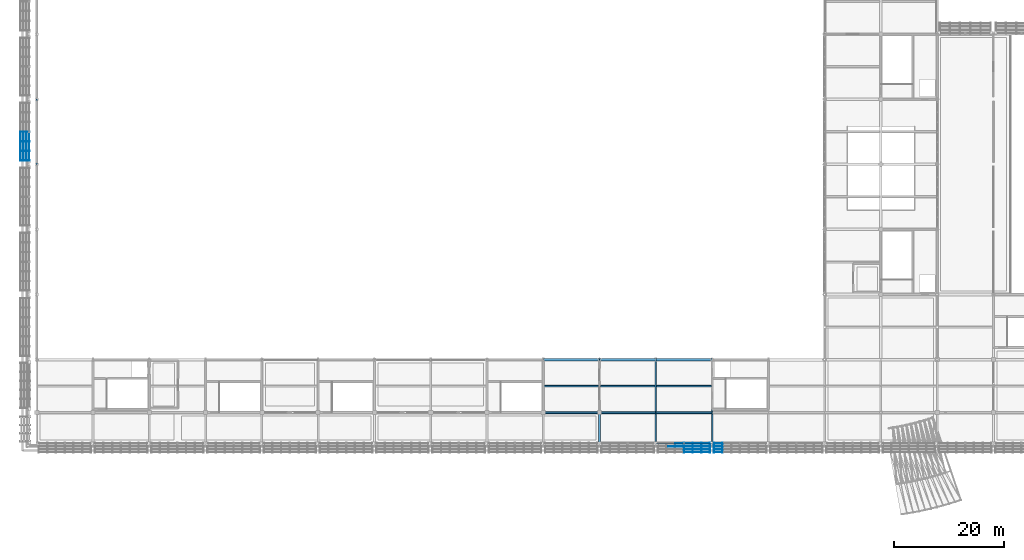
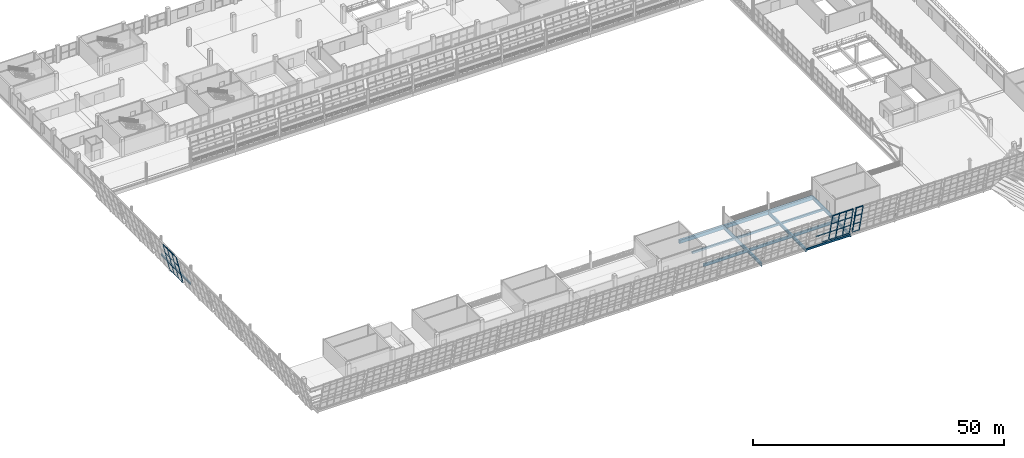
# One storey, part 31 of 157: 41 members, 14 beams, 3 elements without a shape of their own.
"""IFC4 building model written with IfcOpenShell, lengths in metres."""

from ifc_helpers import new_model, si_unit, direction, frame, origin, origin_2d, place, context, subcontext, project, spatial, rectangle, hollow_rectangle, i_section, extrude, material, material_profile, profile_set, type_object, element, aggregate, save


model = new_model("IFC4")

# Units and contexts
model_context = context("Model", 3, precision=1e-05, world=origin(), true_north=direction((0.0, 1.0)))
body_context = subcontext(model_context, "Body", "Model", "MODEL_VIEW")
ifc_project = project(units=[si_unit("LENGTHUNIT", "METRE"), si_unit("AREAUNIT", "SQUARE_METRE"), si_unit("VOLUMEUNIT", "CUBIC_METRE"), si_unit("PLANEANGLEUNIT", "RADIAN"), si_unit("MASSUNIT", "GRAM", prefix="KILO")], contexts=[model_context])

# Site, building, storey
site_placement = place(None, origin())
site = spatial("IfcSite", under=ifc_project, at=site_placement, CompositionType="ELEMENT")
building_placement = place(site_placement, origin())
building = spatial("IfcBuilding", under=site, at=building_placement, Name="Brelvane Convention Centre", CompositionType="ELEMENT")
storey_placement = place(building_placement, frame((0.0, 0.0, 10.800048828125)))
storey = spatial("IfcBuildingStorey", under=building, at=storey_placement, Name="L02", CompositionType="ELEMENT", Elevation=10.800048828125)

# Curtain wall, members
ifc_material_1 = material(Name="Anodised Aluminium Alloy 6063-T6", Category="aluminium")
curtain_wall_type = type_object("IfcCurtainWallType", Name="Curtain Wall CW-HULL-S", PredefinedType="USERDEFINED", material=ifc_material_1)
curtain_wall_1_placement = place(storey_placement, origin())
curtain_wall_1 = element("IfcCurtainWall", 1, at=curtain_wall_1_placement, inside=storey, type_object=curtain_wall_type, Name="Curtain Wall CW-HULL-S L02-HULL-S-L02-12", ObjectType="UNITISED", PredefinedType="USERDEFINED")
ifc_material_2 = material(Name="Anodised Aluminium Alloy 6063-T6", Category="aluminium")
ifc_material_profile_1 = material_profile(ifc_material_2, hollow_rectangle(XDim=0.080078125, YDim=0.239990234375, WallThickness=0.006103515625, InnerFilletRadius=0.006103515625, OuterFilletRadius=0.011962890625, at=origin_2d()), Name="ALU-M 240x80x6.0")
ifc_profile_set_1 = profile_set([ifc_material_profile_1], Name="Anodised Aluminium Alloy 6063-T6")
member_type_1 = type_object("IfcMemberType", Name="Curtain Mullion CW-M1", PredefinedType="MULLION", material=ifc_profile_set_1)
member_1_placement = place(storey_placement, frame((117.300048828125, 13.60009765625, 0.0), z_axis=(0.0, -0.228360410362, 0.973576665178), x_axis=(1.0, 0.0, 0.0)))
member_1 = element("IfcMember", 2, at=member_1_placement, type_object=member_type_1, Name="CW-HULL-S mullion 4", PredefinedType="MULLION", context=body_context, shape_type="SweptSolid", body=[
    extrude(hollow_rectangle(XDim=0.080078125, YDim=0.239990234375, WallThickness=0.006103515625, InnerFilletRadius=0.006103515625, OuterFilletRadius=0.011962890625, at=origin_2d()), origin(), (0.0, 0.0, 1.0), 7.03564453125),
])
member_2_placement = place(storey_placement, frame((118.893310546875, 13.60009765625, 0.0), z_axis=(0.0, -0.228360410362, 0.973576665178), x_axis=(1.0, 0.0, 0.0)))
member_2 = element("IfcMember", 3, at=member_2_placement, type_object=member_type_1, Name="CW-HULL-S mullion 5", PredefinedType="MULLION", context=body_context, shape_type="SweptSolid", body=[
    extrude(hollow_rectangle(XDim=0.080078125, YDim=0.239990234375, WallThickness=0.006103515625, InnerFilletRadius=0.006103515625, OuterFilletRadius=0.011962890625, at=origin_2d()), origin(), (0.0, 0.0, 1.0), 7.03564453125),
])
member_3_placement = place(storey_placement, frame((120.486572265625, 13.60009765625, 0.0), z_axis=(0.0, -0.228360410362, 0.973576665178), x_axis=(1.0, 0.0, 0.0)))
member_3 = element("IfcMember", 4, at=member_3_placement, type_object=member_type_1, Name="CW-HULL-S mullion 6", PredefinedType="MULLION", context=body_context, shape_type="SweptSolid", body=[
    extrude(hollow_rectangle(XDim=0.080078125, YDim=0.239990234375, WallThickness=0.006103515625, InnerFilletRadius=0.006103515625, OuterFilletRadius=0.011962890625, at=origin_2d()), origin(), (0.0, 0.0, 1.0), 7.03564453125),
])
member_4_placement = place(storey_placement, frame((122.0400390625, 13.60009765625, 0.0), z_axis=(0.0, -0.228360410362, 0.973576665178), x_axis=(1.0, 0.0, 0.0)))
member_4 = element("IfcMember", 5, at=member_4_placement, type_object=member_type_1, Name="CW-HULL-S mullion 7", PredefinedType="MULLION", context=body_context, shape_type="SweptSolid", body=[
    extrude(hollow_rectangle(XDim=0.080078125, YDim=0.239990234375, WallThickness=0.006103515625, InnerFilletRadius=0.006103515625, OuterFilletRadius=0.011962890625, at=origin_2d()), origin(), (0.0, 0.0, 1.0), 7.03564453125),
])

curtain_wall_2_placement = place(storey_placement, origin())
curtain_wall_2 = element("IfcCurtainWall", 6, at=curtain_wall_2_placement, inside=storey, type_object=curtain_wall_type, Name="Curtain Wall CW-HULL-S L02-HULL-S-L02-13", ObjectType="UNITISED", PredefinedType="USERDEFINED")
member_5_placement = place(storey_placement, frame((122.760009765625, 13.60009765625, 0.0), z_axis=(0.0, -0.228360410362, 0.973576665178), x_axis=(1.0, 0.0, 0.0)))
member_5 = element("IfcMember", 7, at=member_5_placement, type_object=member_type_1, Name="CW-HULL-S mullion 1", PredefinedType="MULLION", context=body_context, shape_type="SweptSolid", body=[
    extrude(hollow_rectangle(XDim=0.080078125, YDim=0.239990234375, WallThickness=0.006103515625, InnerFilletRadius=0.006103515625, OuterFilletRadius=0.011962890625, at=origin_2d()), origin(), (0.0, 0.0, 1.0), 7.03564453125),
])
member_6_placement = place(storey_placement, frame((124.313232421875, 13.60009765625, 0.0), z_axis=(0.0, -0.228360410362, 0.973576665178), x_axis=(1.0, 0.0, 0.0)))
member_6 = element("IfcMember", 8, at=member_6_placement, type_object=member_type_1, Name="CW-HULL-S mullion 2", PredefinedType="MULLION", context=body_context, shape_type="SweptSolid", body=[
    extrude(hollow_rectangle(XDim=0.080078125, YDim=0.239990234375, WallThickness=0.006103515625, InnerFilletRadius=0.006103515625, OuterFilletRadius=0.011962890625, at=origin_2d()), origin(), (0.0, 0.0, 1.0), 7.03564453125),
])

curtain_wall_3_placement = place(storey_placement, origin())
curtain_wall_3 = element("IfcCurtainWall", 9, at=curtain_wall_3_placement, inside=storey, type_object=curtain_wall_type, Name="Curtain Wall CW-HULL-S L02-HULL-W-L02-4", ObjectType="UNITISED", PredefinedType="USERDEFINED")
ifc_material_3 = material(Name="Anodised Aluminium Alloy 6063-T6", Category="aluminium")
ifc_material_profile_2 = material_profile(ifc_material_3, hollow_rectangle(XDim=0.074951171875, YDim=0.199951171875, WallThickness=0.0048828125, InnerFilletRadius=0.0048828125, OuterFilletRadius=0.010009765625, at=origin_2d()), Name="ALU-M 200x75x5.0")
ifc_profile_set_2 = profile_set([ifc_material_profile_2], Name="Anodised Aluminium Alloy 6063-T6")
member_type_2 = type_object("IfcMemberType", Name="Curtain Mullion CW-M2", PredefinedType="MULLION", material=ifc_profile_set_2)
member_7_placement = place(storey_placement, frame((-1.360107421875, 64.887451171875, 0.0), z_axis=(-0.228324840492, 0.0, 0.973585007698), x_axis=(0.0, -1.0, 0.0)))
member_7 = element("IfcMember", 10, at=member_7_placement, type_object=member_type_2, Name="CW-HULL-S mullion 1", PredefinedType="MULLION", context=body_context, shape_type="SweptSolid", body=[
    extrude(hollow_rectangle(XDim=0.074951171875, YDim=0.199951171875, WallThickness=0.0048828125, InnerFilletRadius=0.0048828125, OuterFilletRadius=0.010009765625, at=origin_2d()), origin(), (0.0, 0.0, 1.0), 6.93310546875),
])
member_8_placement = place(storey_placement, frame((-1.360107421875, 66.60009765625, 0.0), z_axis=(-0.228324840492, 0.0, 0.973585007698), x_axis=(0.0, -1.0, 0.0)))
member_8 = element("IfcMember", 11, at=member_8_placement, type_object=member_type_2, Name="CW-HULL-S mullion 2", PredefinedType="MULLION", context=body_context, shape_type="SweptSolid", body=[
    extrude(hollow_rectangle(XDim=0.074951171875, YDim=0.199951171875, WallThickness=0.0048828125, InnerFilletRadius=0.0048828125, OuterFilletRadius=0.010009765625, at=origin_2d()), origin(), (0.0, 0.0, 1.0), 6.93310546875),
])
member_9_placement = place(storey_placement, frame((-1.360107421875, 68.35009765625, 0.0), z_axis=(-0.228324840492, 0.0, 0.973585007698), x_axis=(0.0, -1.0, 0.0)))
member_9 = element("IfcMember", 12, at=member_9_placement, type_object=member_type_2, Name="CW-HULL-S mullion 3", PredefinedType="MULLION", context=body_context, shape_type="SweptSolid", body=[
    extrude(hollow_rectangle(XDim=0.074951171875, YDim=0.199951171875, WallThickness=0.0048828125, InnerFilletRadius=0.0048828125, OuterFilletRadius=0.010009765625, at=origin_2d()), origin(), (0.0, 0.0, 1.0), 6.93310546875),
])
member_10_placement = place(storey_placement, frame((-1.360107421875, 70.10009765625, 0.0), z_axis=(-0.228324840492, 0.0, 0.973585007698), x_axis=(0.0, -1.0, 0.0)))
member_10 = element("IfcMember", 13, at=member_10_placement, type_object=member_type_2, Name="CW-HULL-S mullion 4", PredefinedType="MULLION", context=body_context, shape_type="SweptSolid", body=[
    extrude(hollow_rectangle(XDim=0.074951171875, YDim=0.199951171875, WallThickness=0.0048828125, InnerFilletRadius=0.0048828125, OuterFilletRadius=0.010009765625, at=origin_2d()), origin(), (0.0, 0.0, 1.0), 6.93310546875),
])

# Member
ifc_material_4 = material(Name="Anodised Aluminium Alloy 6063-T6", Category="aluminium")
ifc_material_profile_3 = material_profile(ifc_material_4, hollow_rectangle(XDim=0.080078125, YDim=0.179931640625, WallThickness=0.0048828125, InnerFilletRadius=0.0048828125, OuterFilletRadius=0.010009765625, at=origin_2d()), Name="ALU-T 180x80x5.0")
ifc_profile_set_3 = profile_set([ifc_material_profile_3], Name="Anodised Aluminium Alloy 6063-T6")
member_type_3 = type_object("IfcMemberType", Name="Curtain Transom CW-T1", PredefinedType="USERDEFINED", material=ifc_profile_set_3)
member_11_placement = place(storey_placement, frame((114.1533203125, 13.064453125, 2.283203125), z_axis=(1.0, 0.0, 0.0), x_axis=(0.0, 1.0, 0.0)))
member_11 = element("IfcMember", 14, at=member_11_placement, type_object=member_type_3, Name="CW-HULL-S transom 2.2", ObjectType="TRANSOM", PredefinedType="USERDEFINED", context=body_context, shape_type="SweptSolid", body=[
    extrude(hollow_rectangle(XDim=0.080078125, YDim=0.179931640625, WallThickness=0.0048828125, InnerFilletRadius=0.0048828125, OuterFilletRadius=0.010009765625, at=origin_2d()), origin(), (0.0, 0.0, 1.0), 1.513427734375),
])

member_12_placement = place(storey_placement, frame((115.74658203125, 13.590576171875, 0.0400390625), z_axis=(1.0, 0.0, 0.0), x_axis=(0.0, 1.0, 0.0)))
member_12 = element("IfcMember", 15, at=member_12_placement, type_object=member_type_3, Name="CW-HULL-S transom 3.1", ObjectType="TRANSOM", PredefinedType="USERDEFINED", context=body_context, shape_type="SweptSolid", body=[
    extrude(hollow_rectangle(XDim=0.080078125, YDim=0.179931640625, WallThickness=0.0048828125, InnerFilletRadius=0.0048828125, OuterFilletRadius=0.010009765625, at=origin_2d()), origin(), (0.0, 0.0, 1.0), 1.513427734375),
])

member_13_placement = place(storey_placement, frame((115.74658203125, 13.064453125, 2.283203125), z_axis=(1.0, 0.0, 0.0), x_axis=(0.0, 1.0, 0.0)))
member_13 = element("IfcMember", 16, at=member_13_placement, type_object=member_type_3, Name="CW-HULL-S transom 3.2", ObjectType="TRANSOM", PredefinedType="USERDEFINED", context=body_context, shape_type="SweptSolid", body=[
    extrude(hollow_rectangle(XDim=0.080078125, YDim=0.179931640625, WallThickness=0.0048828125, InnerFilletRadius=0.0048828125, OuterFilletRadius=0.010009765625, at=origin_2d()), origin(), (0.0, 0.0, 1.0), 1.513427734375),
])

member_14_placement = place(storey_placement, frame((117.340087890625, 13.590576171875, 0.0400390625), z_axis=(1.0, 0.0, 0.0), x_axis=(0.0, 1.0, 0.0)))
member_14 = element("IfcMember", 17, at=member_14_placement, type_object=member_type_3, Name="CW-HULL-S transom 4.1", ObjectType="TRANSOM", PredefinedType="USERDEFINED", context=body_context, shape_type="SweptSolid", body=[
    extrude(hollow_rectangle(XDim=0.080078125, YDim=0.179931640625, WallThickness=0.0048828125, InnerFilletRadius=0.0048828125, OuterFilletRadius=0.010009765625, at=origin_2d()), origin(), (0.0, 0.0, 1.0), 1.51318359375),
])

member_15_placement = place(storey_placement, frame((117.340087890625, 13.064453125, 2.283203125), z_axis=(1.0, 0.0, 0.0), x_axis=(0.0, 1.0, 0.0)))
member_15 = element("IfcMember", 18, at=member_15_placement, type_object=member_type_3, Name="CW-HULL-S transom 4.2", ObjectType="TRANSOM", PredefinedType="USERDEFINED", context=body_context, shape_type="SweptSolid", body=[
    extrude(hollow_rectangle(XDim=0.080078125, YDim=0.179931640625, WallThickness=0.0048828125, InnerFilletRadius=0.0048828125, OuterFilletRadius=0.010009765625, at=origin_2d()), origin(), (0.0, 0.0, 1.0), 1.51318359375),
])

member_16_placement = place(storey_placement, frame((117.340087890625, 12.52880859375, 4.566650390625), z_axis=(1.0, 0.0, 0.0), x_axis=(0.0, 1.0, 0.0)))
member_16 = element("IfcMember", 19, at=member_16_placement, type_object=member_type_3, Name="CW-HULL-S transom 4.3", ObjectType="TRANSOM", PredefinedType="USERDEFINED", context=body_context, shape_type="SweptSolid", body=[
    extrude(hollow_rectangle(XDim=0.080078125, YDim=0.179931640625, WallThickness=0.0048828125, InnerFilletRadius=0.0048828125, OuterFilletRadius=0.010009765625, at=origin_2d()), origin(), (0.0, 0.0, 1.0), 1.51318359375),
])

member_17_placement = place(storey_placement, frame((117.340087890625, 12.002685546875, 6.81005859375), z_axis=(1.0, 0.0, 0.0), x_axis=(0.0, 1.0, 0.0)))
member_17 = element("IfcMember", 20, at=member_17_placement, type_object=member_type_3, Name="CW-HULL-S transom 4.4", ObjectType="TRANSOM", PredefinedType="USERDEFINED", context=body_context, shape_type="SweptSolid", body=[
    extrude(hollow_rectangle(XDim=0.080078125, YDim=0.179931640625, WallThickness=0.0048828125, InnerFilletRadius=0.0048828125, OuterFilletRadius=0.010009765625, at=origin_2d()), origin(), (0.0, 0.0, 1.0), 1.51318359375),
])

member_18_placement = place(storey_placement, frame((118.933349609375, 13.590576171875, 0.0400390625), z_axis=(1.0, 0.0, 0.0), x_axis=(0.0, 1.0, 0.0)))
member_18 = element("IfcMember", 21, at=member_18_placement, type_object=member_type_3, Name="CW-HULL-S transom 5.1", ObjectType="TRANSOM", PredefinedType="USERDEFINED", context=body_context, shape_type="SweptSolid", body=[
    extrude(hollow_rectangle(XDim=0.080078125, YDim=0.179931640625, WallThickness=0.0048828125, InnerFilletRadius=0.0048828125, OuterFilletRadius=0.010009765625, at=origin_2d()), origin(), (0.0, 0.0, 1.0), 1.513427734375),
])

member_19_placement = place(storey_placement, frame((118.933349609375, 13.064453125, 2.283203125), z_axis=(1.0, 0.0, 0.0), x_axis=(0.0, 1.0, 0.0)))
member_19 = element("IfcMember", 22, at=member_19_placement, type_object=member_type_3, Name="CW-HULL-S transom 5.2", ObjectType="TRANSOM", PredefinedType="USERDEFINED", context=body_context, shape_type="SweptSolid", body=[
    extrude(hollow_rectangle(XDim=0.080078125, YDim=0.179931640625, WallThickness=0.0048828125, InnerFilletRadius=0.0048828125, OuterFilletRadius=0.010009765625, at=origin_2d()), origin(), (0.0, 0.0, 1.0), 1.513427734375),
])

member_20_placement = place(storey_placement, frame((118.933349609375, 12.52880859375, 4.566650390625), z_axis=(1.0, 0.0, 0.0), x_axis=(0.0, 1.0, 0.0)))
member_20 = element("IfcMember", 23, at=member_20_placement, type_object=member_type_3, Name="CW-HULL-S transom 5.3", ObjectType="TRANSOM", PredefinedType="USERDEFINED", context=body_context, shape_type="SweptSolid", body=[
    extrude(hollow_rectangle(XDim=0.080078125, YDim=0.179931640625, WallThickness=0.0048828125, InnerFilletRadius=0.0048828125, OuterFilletRadius=0.010009765625, at=origin_2d()), origin(), (0.0, 0.0, 1.0), 1.513427734375),
])

member_21_placement = place(storey_placement, frame((118.933349609375, 12.002685546875, 6.81005859375), z_axis=(1.0, 0.0, 0.0), x_axis=(0.0, 1.0, 0.0)))
member_21 = element("IfcMember", 24, at=member_21_placement, type_object=member_type_3, Name="CW-HULL-S transom 5.4", ObjectType="TRANSOM", PredefinedType="USERDEFINED", context=body_context, shape_type="SweptSolid", body=[
    extrude(hollow_rectangle(XDim=0.080078125, YDim=0.179931640625, WallThickness=0.0048828125, InnerFilletRadius=0.0048828125, OuterFilletRadius=0.010009765625, at=origin_2d()), origin(), (0.0, 0.0, 1.0), 1.513427734375),
])

member_22_placement = place(storey_placement, frame((120.526611328125, 13.590576171875, 0.0400390625), z_axis=(1.0, 0.0, 0.0), x_axis=(0.0, 1.0, 0.0)))
member_22 = element("IfcMember", 25, at=member_22_placement, type_object=member_type_3, Name="CW-HULL-S transom 6.1", ObjectType="TRANSOM", PredefinedType="USERDEFINED", context=body_context, shape_type="SweptSolid", body=[
    extrude(hollow_rectangle(XDim=0.080078125, YDim=0.179931640625, WallThickness=0.0048828125, InnerFilletRadius=0.0048828125, OuterFilletRadius=0.010009765625, at=origin_2d()), origin(), (0.0, 0.0, 1.0), 1.473388671875),
])

member_23_placement = place(storey_placement, frame((120.526611328125, 13.064453125, 2.283203125), z_axis=(1.0, 0.0, 0.0), x_axis=(0.0, 1.0, 0.0)))
member_23 = element("IfcMember", 26, at=member_23_placement, type_object=member_type_3, Name="CW-HULL-S transom 6.2", ObjectType="TRANSOM", PredefinedType="USERDEFINED", context=body_context, shape_type="SweptSolid", body=[
    extrude(hollow_rectangle(XDim=0.080078125, YDim=0.179931640625, WallThickness=0.0048828125, InnerFilletRadius=0.0048828125, OuterFilletRadius=0.010009765625, at=origin_2d()), origin(), (0.0, 0.0, 1.0), 1.473388671875),
])

member_24_placement = place(storey_placement, frame((120.526611328125, 12.52880859375, 4.566650390625), z_axis=(1.0, 0.0, 0.0), x_axis=(0.0, 1.0, 0.0)))
member_24 = element("IfcMember", 27, at=member_24_placement, type_object=member_type_3, Name="CW-HULL-S transom 6.3", ObjectType="TRANSOM", PredefinedType="USERDEFINED", context=body_context, shape_type="SweptSolid", body=[
    extrude(hollow_rectangle(XDim=0.080078125, YDim=0.179931640625, WallThickness=0.0048828125, InnerFilletRadius=0.0048828125, OuterFilletRadius=0.010009765625, at=origin_2d()), origin(), (0.0, 0.0, 1.0), 1.473388671875),
])

member_25_placement = place(storey_placement, frame((120.526611328125, 12.002685546875, 6.81005859375), z_axis=(1.0, 0.0, 0.0), x_axis=(0.0, 1.0, 0.0)))
member_25 = element("IfcMember", 28, at=member_25_placement, type_object=member_type_3, Name="CW-HULL-S transom 6.4", ObjectType="TRANSOM", PredefinedType="USERDEFINED", context=body_context, shape_type="SweptSolid", body=[
    extrude(hollow_rectangle(XDim=0.080078125, YDim=0.179931640625, WallThickness=0.0048828125, InnerFilletRadius=0.0048828125, OuterFilletRadius=0.010009765625, at=origin_2d()), origin(), (0.0, 0.0, 1.0), 1.473388671875),
])

aggregate(curtain_wall_1, [member_1, member_2, member_3, member_4, member_11, member_12, member_13, member_14, member_15, member_16, member_17, member_18, member_19, member_20, member_21, member_22, member_23, member_24, member_25])

member_26_placement = place(storey_placement, frame((122.800048828125, 13.590576171875, 0.0400390625), z_axis=(1.0, 0.0, 0.0), x_axis=(0.0, 1.0, 0.0)))
member_26 = element("IfcMember", 29, at=member_26_placement, type_object=member_type_3, Name="CW-HULL-S transom 1.1", ObjectType="TRANSOM", PredefinedType="USERDEFINED", context=body_context, shape_type="SweptSolid", body=[
    extrude(hollow_rectangle(XDim=0.080078125, YDim=0.179931640625, WallThickness=0.0048828125, InnerFilletRadius=0.0048828125, OuterFilletRadius=0.010009765625, at=origin_2d()), origin(), (0.0, 0.0, 1.0), 1.473388671875),
])

member_27_placement = place(storey_placement, frame((122.800048828125, 13.064453125, 2.283203125), z_axis=(1.0, 0.0, 0.0), x_axis=(0.0, 1.0, 0.0)))
member_27 = element("IfcMember", 30, at=member_27_placement, type_object=member_type_3, Name="CW-HULL-S transom 1.2", ObjectType="TRANSOM", PredefinedType="USERDEFINED", context=body_context, shape_type="SweptSolid", body=[
    extrude(hollow_rectangle(XDim=0.080078125, YDim=0.179931640625, WallThickness=0.0048828125, InnerFilletRadius=0.0048828125, OuterFilletRadius=0.010009765625, at=origin_2d()), origin(), (0.0, 0.0, 1.0), 1.473388671875),
])

member_28_placement = place(storey_placement, frame((122.800048828125, 12.52880859375, 4.566650390625), z_axis=(1.0, 0.0, 0.0), x_axis=(0.0, 1.0, 0.0)))
member_28 = element("IfcMember", 31, at=member_28_placement, type_object=member_type_3, Name="CW-HULL-S transom 1.3", ObjectType="TRANSOM", PredefinedType="USERDEFINED", context=body_context, shape_type="SweptSolid", body=[
    extrude(hollow_rectangle(XDim=0.080078125, YDim=0.179931640625, WallThickness=0.0048828125, InnerFilletRadius=0.0048828125, OuterFilletRadius=0.010009765625, at=origin_2d()), origin(), (0.0, 0.0, 1.0), 1.473388671875),
])

member_29_placement = place(storey_placement, frame((122.800048828125, 12.002685546875, 6.81005859375), z_axis=(1.0, 0.0, 0.0), x_axis=(0.0, 1.0, 0.0)))
member_29 = element("IfcMember", 32, at=member_29_placement, type_object=member_type_3, Name="CW-HULL-S transom 1.4", ObjectType="TRANSOM", PredefinedType="USERDEFINED", context=body_context, shape_type="SweptSolid", body=[
    extrude(hollow_rectangle(XDim=0.080078125, YDim=0.179931640625, WallThickness=0.0048828125, InnerFilletRadius=0.0048828125, OuterFilletRadius=0.010009765625, at=origin_2d()), origin(), (0.0, 0.0, 1.0), 1.473388671875),
])

aggregate(curtain_wall_2, [member_5, member_6, member_26, member_27, member_28, member_29])

ifc_material_5 = material(Name="Anodised Aluminium Alloy 6063-T6", Category="aluminium")
ifc_material_profile_4 = material_profile(ifc_material_5, hollow_rectangle(XDim=0.070068359375, YDim=0.14990234375, WallThickness=0.00439453125, InnerFilletRadius=0.00439453125, OuterFilletRadius=0.009033203125, at=origin_2d()), Name="ALU-T 150x70x4.5")
ifc_profile_set_4 = profile_set([ifc_material_profile_4], Name="Anodised Aluminium Alloy 6063-T6")
member_type_4 = type_object("IfcMemberType", Name="Curtain Transom CW-T2", PredefinedType="USERDEFINED", material=ifc_profile_set_4)
member_30_placement = place(storey_placement, frame((-1.3681640625, 64.925048828125, 0.034912109375), z_axis=(0.0, 1.0, 0.0), x_axis=(-1.0, 0.0, 0.0)))
member_30 = element("IfcMember", 33, at=member_30_placement, type_object=member_type_4, Name="CW-HULL-S transom 1.1", ObjectType="TRANSOM", PredefinedType="USERDEFINED", context=body_context, shape_type="SweptSolid", body=[
    extrude(hollow_rectangle(XDim=0.070068359375, YDim=0.14990234375, WallThickness=0.00439453125, InnerFilletRadius=0.00439453125, OuterFilletRadius=0.009033203125, at=origin_2d()), origin(), (0.0, 0.0, 1.0), 1.637451171875),
])

member_31_placement = place(storey_placement, frame((-1.8876953125, 64.925048828125, 2.25), z_axis=(0.0, 1.0, 0.0), x_axis=(-1.0, 0.0, 0.0)))
member_31 = element("IfcMember", 34, at=member_31_placement, type_object=member_type_4, Name="CW-HULL-S transom 1.2", ObjectType="TRANSOM", PredefinedType="USERDEFINED", context=body_context, shape_type="SweptSolid", body=[
    extrude(hollow_rectangle(XDim=0.070068359375, YDim=0.14990234375, WallThickness=0.00439453125, InnerFilletRadius=0.00439453125, OuterFilletRadius=0.009033203125, at=origin_2d()), origin(), (0.0, 0.0, 1.0), 1.637451171875),
])

member_32_placement = place(storey_placement, frame((-2.41552734375, 64.925048828125, 4.5), z_axis=(0.0, 1.0, 0.0), x_axis=(-1.0, 0.0, 0.0)))
member_32 = element("IfcMember", 35, at=member_32_placement, type_object=member_type_4, Name="CW-HULL-S transom 1.3", ObjectType="TRANSOM", PredefinedType="USERDEFINED", context=body_context, shape_type="SweptSolid", body=[
    extrude(hollow_rectangle(XDim=0.070068359375, YDim=0.14990234375, WallThickness=0.00439453125, InnerFilletRadius=0.00439453125, OuterFilletRadius=0.009033203125, at=origin_2d()), origin(), (0.0, 0.0, 1.0), 1.637451171875),
])

member_33_placement = place(storey_placement, frame((-2.93505859375, 64.925048828125, 6.71484375), z_axis=(0.0, 1.0, 0.0), x_axis=(-1.0, 0.0, 0.0)))
member_33 = element("IfcMember", 36, at=member_33_placement, type_object=member_type_4, Name="CW-HULL-S transom 1.4", ObjectType="TRANSOM", PredefinedType="USERDEFINED", context=body_context, shape_type="SweptSolid", body=[
    extrude(hollow_rectangle(XDim=0.070068359375, YDim=0.14990234375, WallThickness=0.00439453125, InnerFilletRadius=0.00439453125, OuterFilletRadius=0.009033203125, at=origin_2d()), origin(), (0.0, 0.0, 1.0), 1.637451171875),
])

member_34_placement = place(storey_placement, frame((-1.3681640625, 66.637451171875, 0.034912109375), z_axis=(0.0, 1.0, 0.0), x_axis=(-1.0, 0.0, 0.0)))
member_34 = element("IfcMember", 37, at=member_34_placement, type_object=member_type_4, Name="CW-HULL-S transom 2.1", ObjectType="TRANSOM", PredefinedType="USERDEFINED", context=body_context, shape_type="SweptSolid", body=[
    extrude(hollow_rectangle(XDim=0.070068359375, YDim=0.14990234375, WallThickness=0.00439453125, InnerFilletRadius=0.00439453125, OuterFilletRadius=0.009033203125, at=origin_2d()), origin(), (0.0, 0.0, 1.0), 1.675048828125),
])

member_35_placement = place(storey_placement, frame((-1.8876953125, 66.637451171875, 2.25), z_axis=(0.0, 1.0, 0.0), x_axis=(-1.0, 0.0, 0.0)))
member_35 = element("IfcMember", 38, at=member_35_placement, type_object=member_type_4, Name="CW-HULL-S transom 2.2", ObjectType="TRANSOM", PredefinedType="USERDEFINED", context=body_context, shape_type="SweptSolid", body=[
    extrude(hollow_rectangle(XDim=0.070068359375, YDim=0.14990234375, WallThickness=0.00439453125, InnerFilletRadius=0.00439453125, OuterFilletRadius=0.009033203125, at=origin_2d()), origin(), (0.0, 0.0, 1.0), 1.675048828125),
])

member_36_placement = place(storey_placement, frame((-2.41552734375, 66.637451171875, 4.5), z_axis=(0.0, 1.0, 0.0), x_axis=(-1.0, 0.0, 0.0)))
member_36 = element("IfcMember", 39, at=member_36_placement, type_object=member_type_4, Name="CW-HULL-S transom 2.3", ObjectType="TRANSOM", PredefinedType="USERDEFINED", context=body_context, shape_type="SweptSolid", body=[
    extrude(hollow_rectangle(XDim=0.070068359375, YDim=0.14990234375, WallThickness=0.00439453125, InnerFilletRadius=0.00439453125, OuterFilletRadius=0.009033203125, at=origin_2d()), origin(), (0.0, 0.0, 1.0), 1.675048828125),
])

member_37_placement = place(storey_placement, frame((-2.93505859375, 66.637451171875, 6.71484375), z_axis=(0.0, 1.0, 0.0), x_axis=(-1.0, 0.0, 0.0)))
member_37 = element("IfcMember", 40, at=member_37_placement, type_object=member_type_4, Name="CW-HULL-S transom 2.4", ObjectType="TRANSOM", PredefinedType="USERDEFINED", context=body_context, shape_type="SweptSolid", body=[
    extrude(hollow_rectangle(XDim=0.070068359375, YDim=0.14990234375, WallThickness=0.00439453125, InnerFilletRadius=0.00439453125, OuterFilletRadius=0.009033203125, at=origin_2d()), origin(), (0.0, 0.0, 1.0), 1.675048828125),
])

member_38_placement = place(storey_placement, frame((-1.3681640625, 68.387451171875, 0.034912109375), z_axis=(0.0, 1.0, 0.0), x_axis=(-1.0, 0.0, 0.0)))
member_38 = element("IfcMember", 41, at=member_38_placement, type_object=member_type_4, Name="CW-HULL-S transom 3.1", ObjectType="TRANSOM", PredefinedType="USERDEFINED", context=body_context, shape_type="SweptSolid", body=[
    extrude(hollow_rectangle(XDim=0.070068359375, YDim=0.14990234375, WallThickness=0.00439453125, InnerFilletRadius=0.00439453125, OuterFilletRadius=0.009033203125, at=origin_2d()), origin(), (0.0, 0.0, 1.0), 1.675048828125),
])

member_39_placement = place(storey_placement, frame((-1.8876953125, 68.387451171875, 2.25), z_axis=(0.0, 1.0, 0.0), x_axis=(-1.0, 0.0, 0.0)))
member_39 = element("IfcMember", 42, at=member_39_placement, type_object=member_type_4, Name="CW-HULL-S transom 3.2", ObjectType="TRANSOM", PredefinedType="USERDEFINED", context=body_context, shape_type="SweptSolid", body=[
    extrude(hollow_rectangle(XDim=0.070068359375, YDim=0.14990234375, WallThickness=0.00439453125, InnerFilletRadius=0.00439453125, OuterFilletRadius=0.009033203125, at=origin_2d()), origin(), (0.0, 0.0, 1.0), 1.675048828125),
])

member_40_placement = place(storey_placement, frame((-2.41552734375, 68.387451171875, 4.5), z_axis=(0.0, 1.0, 0.0), x_axis=(-1.0, 0.0, 0.0)))
member_40 = element("IfcMember", 43, at=member_40_placement, type_object=member_type_4, Name="CW-HULL-S transom 3.3", ObjectType="TRANSOM", PredefinedType="USERDEFINED", context=body_context, shape_type="SweptSolid", body=[
    extrude(hollow_rectangle(XDim=0.070068359375, YDim=0.14990234375, WallThickness=0.00439453125, InnerFilletRadius=0.00439453125, OuterFilletRadius=0.009033203125, at=origin_2d()), origin(), (0.0, 0.0, 1.0), 1.675048828125),
])

member_41_placement = place(storey_placement, frame((-2.93505859375, 68.387451171875, 6.71484375), z_axis=(0.0, 1.0, 0.0), x_axis=(-1.0, 0.0, 0.0)))
member_41 = element("IfcMember", 44, at=member_41_placement, type_object=member_type_4, Name="CW-HULL-S transom 3.4", ObjectType="TRANSOM", PredefinedType="USERDEFINED", context=body_context, shape_type="SweptSolid", body=[
    extrude(hollow_rectangle(XDim=0.070068359375, YDim=0.14990234375, WallThickness=0.00439453125, InnerFilletRadius=0.00439453125, OuterFilletRadius=0.009033203125, at=origin_2d()), origin(), (0.0, 0.0, 1.0), 1.675048828125),
])

aggregate(curtain_wall_3, [member_7, member_8, member_9, member_10, member_30, member_31, member_32, member_33, member_34, member_35, member_36, member_37, member_38, member_39, member_40, member_41])

# Beams
ifc_material_6 = material(Name="Concrete M40", Category="concrete")
ifc_material_profile_5 = material_profile(ifc_material_6, rectangle(XDim=0.4599609375, YDim=0.840087890625, at=origin_2d()), Name="RC 460x840")
ifc_profile_set_5 = profile_set([ifc_material_profile_5], Name="Concrete M40")
beam_type_1 = type_object("IfcBeamType", Name="RC Beam B-RC11 (RC 460x840)", PredefinedType="BEAM", material=ifc_profile_set_5)
for number, where, z_axis, x_axis, name in (
    (45, (91.800048828125, 28.800048828125, -0.699951171875), (1.0, 0.0, 0.0), (0.0, 1.0, 0.0), "L02 Beam 10-11/D"),
    (46, (102.0, 28.800048828125, -0.699951171875), (1.0, 0.0, 0.0), (0.0, 1.0, 0.0), "L02 Beam 11-12/D"),
    (47, (112.199951171875, 28.800048828125, -0.699951171875), (1.0, 0.0, 0.0), (0.0, 1.0, 0.0), "L02 Beam 12-13/D"),
):
    element("IfcBeam", number, at=place(storey_placement, frame(where, z_axis=z_axis, x_axis=x_axis)), inside=storey, type_object=beam_type_1, Name=name, PredefinedType="BEAM", context=body_context, shape_type="SweptSolid", body=[
        extrude(rectangle(XDim=0.4599609375, YDim=0.840087890625, at=origin_2d()), origin(), (0.0, 0.0, 1.0), 10.199951171875),
    ])
ifc_material_7 = material(Name="Concrete M40", Category="concrete")
ifc_material_profile_6 = material_profile(ifc_material_7, rectangle(XDim=0.320068359375, YDim=0.52001953125, at=origin_2d()), Name="RC 320x520")
ifc_profile_set_6 = profile_set([ifc_material_profile_6], Name="Concrete M40")
beam_type_2 = type_object("IfcBeamType", Name="RC Joist J-RC4 (RC 320x520)", PredefinedType="JOIST", material=ifc_profile_set_6)
for number, where, z_axis, x_axis, name in (
    (48, (91.949951171875, 24.0, -0.5400390625), (1.0, 0.0, 0.0), (0.0, 1.0, 0.0), "L02 Secondary Joist 10-11/CD"),
    (49, (102.14990234375, 24.0, -0.5400390625), (1.0, 0.0, 0.0), (0.0, 1.0, 0.0), "L02 Secondary Joist 11-12/CD"),
):
    element("IfcBeam", number, at=place(storey_placement, frame(where, z_axis=z_axis, x_axis=x_axis)), inside=storey, type_object=beam_type_2, Name=name, PredefinedType="JOIST", context=body_context, shape_type="SweptSolid", body=[
        extrude(rectangle(XDim=0.320068359375, YDim=0.52001953125, at=origin_2d()), origin(), (0.0, 0.0, 1.0), 9.900146484375),
    ])
beam_1_placement = place(storey_placement, frame((112.35009765625, 24.0, -0.5400390625), z_axis=(1.0, 0.0, 0.0), x_axis=(0.0, 1.0, 0.0)))
element("IfcBeam", 50, at=beam_1_placement, inside=storey, type_object=beam_type_2, Name="L02 Secondary Joist 12-13/CD", PredefinedType="JOIST", context=body_context, shape_type="SweptSolid", body=[
    extrude(rectangle(XDim=0.320068359375, YDim=0.52001953125, at=origin_2d()), origin(), (0.0, 0.0, 1.0), 9.89990234375),
])
ifc_material_8 = material(Name="Concrete M40", Category="concrete")
ifc_material_profile_7 = material_profile(ifc_material_8, rectangle(XDim=0.360107421875, YDim=0.639892578125, at=origin_2d()), Name="RC 360x640")
ifc_profile_set_7 = profile_set([ifc_material_profile_7], Name="Concrete M40")
beam_type_3 = type_object("IfcBeamType", Name="RC Spandrel SP-RC3 (RC 360x640)", PredefinedType="SPANDREL", material=ifc_profile_set_7)
for number, where, z_axis, x_axis, name in (
    (51, (91.800048828125, 19.199951171875, -0.60009765625), (1.0, 0.0, 0.0), (0.0, 1.0, 0.0), "L02 Beam 10-11/C"),
    (52, (102.0, 19.199951171875, -0.60009765625), (1.0, 0.0, 0.0), (0.0, 1.0, 0.0), "L02 Beam 11-12/C"),
    (53, (112.199951171875, 19.199951171875, -0.60009765625), (1.0, 0.0, 0.0), (0.0, 1.0, 0.0), "L02 Beam 12-13/C"),
):
    element("IfcBeam", number, at=place(storey_placement, frame(where, z_axis=z_axis, x_axis=x_axis)), inside=storey, type_object=beam_type_3, Name=name, PredefinedType="SPANDREL", context=body_context, shape_type="SweptSolid", body=[
        extrude(rectangle(XDim=0.360107421875, YDim=0.639892578125, at=origin_2d()), origin(), (0.0, 0.0, 1.0), 10.199951171875),
    ])
ifc_material_9 = material(Name="Steel E450 (450 MPa)", Category="steel")
ifc_material_profile_8 = material_profile(ifc_material_9, i_section(OverallWidth=0.300048828125, OverallDepth=0.800048828125, WebThickness=0.015380859375, FlangeThickness=0.030029296875, FilletRadius=0.027099609375, at=origin_2d()), Name="NPB 800x300")
ifc_profile_set_8 = profile_set([ifc_material_profile_8], Name="Steel E450 (450 MPa)")
beam_type_4 = type_object("IfcBeamType", Name="Steel Beam B-ST2 (NPB 800x300)", PredefinedType="BEAM", material=ifc_profile_set_8)
for number, where, z_axis, x_axis, name in (
    (54, (102.0, 13.60009765625, -0.679931640625), (0.0, 1.0, 0.0), (-1.0, 0.0, 0.0), "L02 Hull Cantilever Girder 11"),
    (55, (112.199951171875, 13.60009765625, -0.679931640625), (0.0, 1.0, 0.0), (-1.0, 0.0, 0.0), "L02 Hull Cantilever Girder 12"),
    (56, (122.39990234375, 13.60009765625, -0.679931640625), (0.0, 1.0, 0.0), (-1.0, 0.0, 0.0), "L02 Hull Cantilever Girder 13"),
):
    element("IfcBeam", number, at=place(storey_placement, frame(where, z_axis=z_axis, x_axis=x_axis)), inside=storey, type_object=beam_type_4, Name=name, PredefinedType="BEAM", context=body_context, shape_type="SweptSolid", body=[
        extrude(i_section(OverallWidth=0.300048828125, OverallDepth=0.800048828125, WebThickness=0.015380859375, FlangeThickness=0.030029296875, FilletRadius=0.027099609375, at=origin_2d()), origin(), (0.0, 0.0, 1.0), 15.199951171875),
    ])
ifc_material_10 = material(Name="Steel E350 (350 MPa)", Category="steel")
ifc_material_profile_9 = material_profile(ifc_material_10, i_section(OverallWidth=0.25, OverallDepth=0.5, WebThickness=0.010009765625, FlangeThickness=0.0146484375, FilletRadius=0.01611328125, at=origin_2d()), Name="ISWB 500")
ifc_profile_set_9 = profile_set([ifc_material_profile_9], Name="Steel E350 (350 MPa)")
beam_type_5 = type_object("IfcBeamType", Name="Steel Spandrel SP-ST1 (ISWB 500)", PredefinedType="SPANDREL", material=ifc_profile_set_9)
beam_2_placement = place(storey_placement, frame((112.199951171875, 13.60009765625, -0.530029296875), z_axis=(1.0, 0.0, 0.0), x_axis=(0.0, 1.0, 0.0)))
element("IfcBeam", 57, at=beam_2_placement, inside=storey, type_object=beam_type_5, Name="L02 Hull Overhang Edge Spandrel 12", PredefinedType="SPANDREL", context=body_context, shape_type="SweptSolid", body=[
    extrude(i_section(OverallWidth=0.25, OverallDepth=0.5, WebThickness=0.010009765625, FlangeThickness=0.0146484375, FilletRadius=0.01611328125, at=origin_2d()), origin(), (0.0, 0.0, 1.0), 10.199951171875),
])
beam_3_placement = place(storey_placement, frame((0.0, 64.199951171875, -0.25), z_axis=(0.0, 1.0, 0.0), x_axis=(-1.0, 0.0, 0.0)))
element("IfcBeam", 58, at=beam_3_placement, inside=storey, type_object=beam_type_5, Name="West Hull Wall Girt L02-4", PredefinedType="SPANDREL", context=body_context, shape_type="SweptSolid", body=[
    extrude(i_section(OverallWidth=0.25, OverallDepth=0.5, WebThickness=0.010009765625, FlangeThickness=0.0146484375, FilletRadius=0.01611328125, at=origin_2d()), origin(), (0.0, 0.0, 1.0), 11.800048828125),
])

save(model, "model.ifc")
